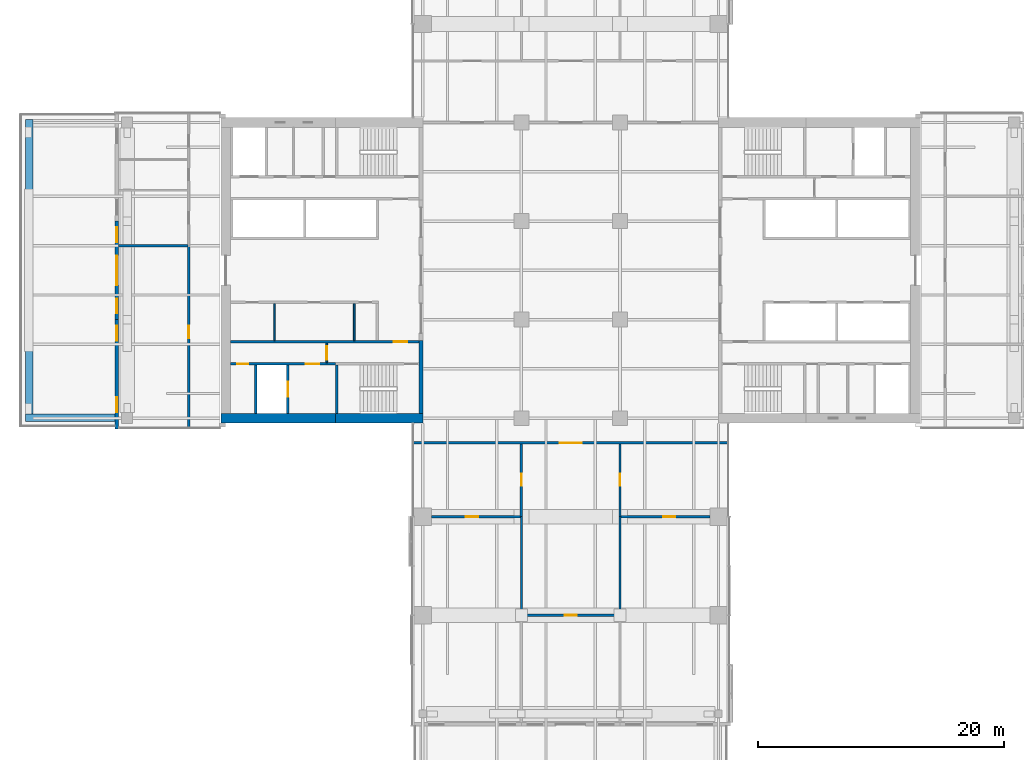
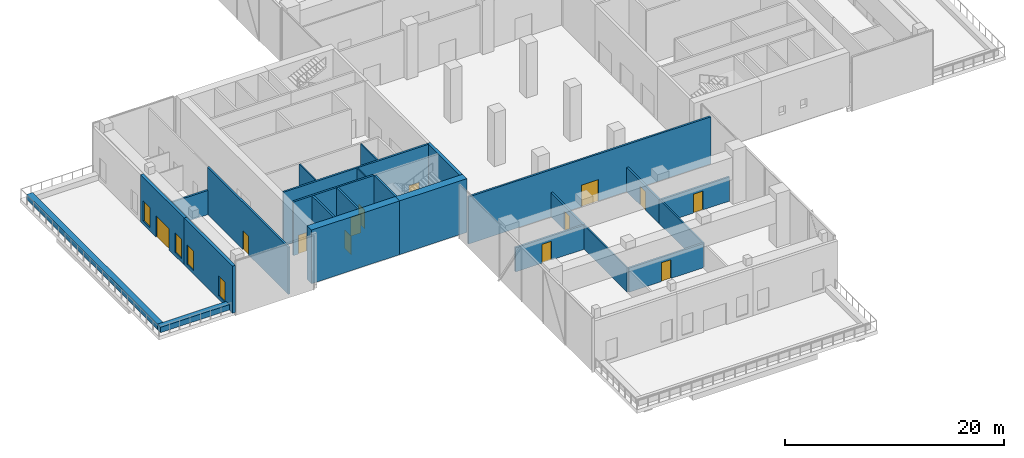
# One storey, part 14 of 23: 25 walls, 13 doors, 4 windows, 17 openings.
"""IFC4 building model written with IfcOpenShell, lengths in metres."""

import ifcopenshell
import ifcopenshell.guid

model = None  # the IFC model being written
_history = None  # IfcOwnerHistory: only IFC2X3 demands one
_inside = {}  # id of a spatial element -> (the spatial element, [elements in it])
_under = {}  # id of a project, library or spatial element -> (it, [spatial elements below it])
_declared = {}  # id of a project -> (the project, [libraries it declares])
_typed = {}  # id of a type object -> (the type object, [elements of that type])
_made_of = {}  # id of a material, layer set ... -> (it, [elements and type objects made of it])


def new_model(schema):
    """Start an empty IFC model of exactly this schema.

    Asked for "IFC4X3", IfcOpenShell would pick the latest addendum, in which some entities
    have other attributes; the version numbers below select the first issue.
    IFC2X3 requires an IfcOwnerHistory on every rooted entity: one is made here for all.
    """
    global model, _history
    if schema == "IFC4X3":
        model = ifcopenshell.file(schema_version=(4, 3, 0, 0))
    else:
        model = ifcopenshell.file(schema=schema)
    _inside.clear()
    _under.clear()
    _declared.clear()
    _typed.clear()
    _made_of.clear()
    _history = None
    if model.schema == "IFC2X3":
        org = make("IfcOrganization", Name="unknown")
        user = make(
            "IfcPersonAndOrganization",
            ThePerson=make("IfcPerson", FamilyName="unknown"),
            TheOrganization=org,
        )
        app = make(
            "IfcApplication",
            ApplicationDeveloper=org,
            Version="unknown",
            ApplicationFullName="unknown",
            ApplicationIdentifier="unknown",
        )
        _history = make(
            "IfcOwnerHistory",
            OwningUser=user,
            OwningApplication=app,
            ChangeAction="ADDED",
            CreationDate=0,
        )
    return model


def make(cls, **values):
    """One entity of the class cls with the attributes given. An attribute that is None is left unset."""
    return model.create_entity(
        cls, **{name: value for name, value in values.items() if value is not None}
    )


def rooted(cls, **values):
    """An entity with a GlobalId (a new one), such as an element, a storey or a relation."""
    return make(cls, GlobalId=ifcopenshell.guid.new(), OwnerHistory=_history, **values)


def si_unit(unit_type, name, prefix=None):
    """IfcSIUnit, for example si_unit("LENGTHUNIT", "METRE", prefix="MILLI")."""
    return make("IfcSIUnit", UnitType=unit_type, Prefix=prefix, Name=name)


def assignment(units):
    """IfcUnitAssignment: the units of a project."""
    return None if units is None else make("IfcUnitAssignment", Units=units)


def point(xyz):
    """IfcCartesianPoint."""
    return None if xyz is None else make("IfcCartesianPoint", Coordinates=xyz)


def direction(xyz):
    """IfcDirection."""
    return None if xyz is None else make("IfcDirection", DirectionRatios=xyz)


def frame(location, z_axis=None, x_axis=None):
    """IfcAxis2Placement3D, a coordinate frame: its origin and axes. An axis left out is left unset."""
    return make(
        "IfcAxis2Placement3D",
        Location=point(location),
        Axis=direction(z_axis),
        RefDirection=direction(x_axis),
    )


def frame_2d(location, x_axis=None):
    """IfcAxis2Placement2D, a coordinate frame in the plane: its origin and x axis."""
    return make(
        "IfcAxis2Placement2D", Location=point(location), RefDirection=direction(x_axis)
    )


def origin():
    """The frame at (0, 0, 0) with its axes left unset."""
    return frame((0.0, 0.0, 0.0))


def place(relative_to, where):
    """IfcLocalPlacement: puts the frame where relative to a parent placement (None: the world)."""
    return make(
        "IfcLocalPlacement", PlacementRelTo=relative_to, RelativePlacement=where
    )


def context(
    kind, dimensions, precision=None, world=None, true_north=None, identifier=None
):
    """IfcGeometricRepresentationContext, for example the 3D "Model" context."""
    return make(
        "IfcGeometricRepresentationContext",
        ContextIdentifier=identifier,
        ContextType=kind,
        CoordinateSpaceDimension=dimensions,
        Precision=precision,
        WorldCoordinateSystem=world,
        TrueNorth=true_north,
    )


def subcontext(parent, identifier, kind, view, scale=None):
    """IfcGeometricRepresentationSubContext, for example "Body" below "Model"."""
    return make(
        "IfcGeometricRepresentationSubContext",
        ContextIdentifier=identifier,
        ContextType=kind,
        ParentContext=parent,
        TargetScale=scale,
        TargetView=view,
    )


def project(units=None, contexts=None):
    """IfcProject with its units and contexts."""
    return rooted(
        "IfcProject",
        Name="project",
        RepresentationContexts=contexts,
        UnitsInContext=assignment(units),
    )


def spatial(cls, under=None, at=None, **own):
    """A site, building, storey or space (cls), placed at a placement, below another one or the project."""
    s = rooted(cls, ObjectPlacement=at, **own)
    if under is not None:
        _under.setdefault(under.id(), (under, []))[1].append(s)
    return s


def profile(cls, at=None, kind="AREA", **sizes):
    """A parametric profile (cls). Its sizes go by their IFC names, for example OverallWidth=200.0."""
    return make(cls, ProfileType=kind, Position=at, **sizes)


def rectangle(**sizes):
    """IfcRectangleProfileDef."""
    return profile("IfcRectangleProfileDef", **sizes)


def extrude(swept, where, along, depth):
    """IfcExtrudedAreaSolid: the profile swept, set in the frame where, extruded along a direction by depth."""
    return make(
        "IfcExtrudedAreaSolid",
        SweptArea=swept,
        Position=where,
        ExtrudedDirection=direction(along),
        Depth=depth,
    )


def shape(context_of_items, identifier, shape_type, items):
    """IfcShapeRepresentation: the items that make up one representation, for example the "Body"."""
    return make(
        "IfcShapeRepresentation",
        ContextOfItems=context_of_items,
        RepresentationIdentifier=identifier,
        RepresentationType=shape_type,
        Items=items,
    )


def material(Name=None, Category=None):
    """IfcMaterial."""
    return make("IfcMaterial", Name=Name, Category=Category)


def layer(
    of_material, thickness, ventilated=None, Name=None, Category=None, Priority=None
):
    """IfcMaterialLayer: one layer of a wall or slab, of a material (None: an air gap)."""
    return make(
        "IfcMaterialLayer",
        Material=of_material,
        LayerThickness=thickness,
        IsVentilated=ventilated,
        Name=Name,
        Category=Category,
        Priority=Priority,
    )


def layer_set(layers, Name=None):
    """IfcMaterialLayerSet."""
    return make("IfcMaterialLayerSet", MaterialLayers=layers, LayerSetName=Name)


def constituent(of_material, Name=None, Category=None, fraction=None):
    """IfcMaterialConstituent: one of the materials an element consists of."""
    return make(
        "IfcMaterialConstituent",
        Name=Name,
        Material=of_material,
        Fraction=fraction,
        Category=Category,
    )


def constituent_set(constituents=None, Name=None):
    """IfcMaterialConstituentSet."""
    return make(
        "IfcMaterialConstituentSet", Name=Name, MaterialConstituents=constituents
    )


def made_of(thing, what):
    """Note that an element or type object is made of a material, layer set ...; save() writes the relation."""
    if what is not None:
        _made_of.setdefault(what.id(), (what, []))[1].append(thing)
    return thing


def type_object(cls, material=None, **own):
    """A type object (cls), such as IfcWallType, which elements share."""
    return made_of(rooted(cls, **own), material)


def element(
    cls,
    number,
    at=None,
    inside=None,
    cuts=None,
    type_object=None,
    material=None,
    context=None,
    identifier="Body",
    shape_type=None,
    held_by="IfcProductDefinitionShape",
    body=None,
    shapes=None,
    **own,
):
    """One element of the class cls, such as IfcWall. Its Tag is "e" and its number.

    at: its placement. inside: the storey or other place that contains it. cuts: it is an
    opening in that element (IfcRelVoidsElement). A single representation is given by context,
    identifier, shape_type and body (its items); several are given by shapes. held_by: the class
    of the entity that holds the representations. save() writes the other relations.
    """
    e = rooted(cls, Tag="e%d" % number, ObjectPlacement=at, **own)
    if body is not None:
        shapes = [shape(context, identifier, shape_type, body)]
    if shapes is not None:
        e.Representation = make(held_by, Representations=shapes)
    if inside is not None:
        _inside.setdefault(inside.id(), (inside, []))[1].append(e)
    if cuts is not None:
        rooted(
            "IfcRelVoidsElement", RelatingBuildingElement=cuts, RelatedOpeningElement=e
        )
    if type_object is not None:
        _typed.setdefault(type_object.id(), (type_object, []))[1].append(e)
    return made_of(e, material)


def fill(opening, filler):
    """IfcRelFillsElement: the door or window that sits in an opening."""
    return rooted(
        "IfcRelFillsElement",
        RelatingOpeningElement=opening,
        RelatedBuildingElement=filler,
    )


def aggregate(whole, parts):
    """IfcRelAggregates: a whole, such as a stair, and the parts it consists of."""
    return rooted("IfcRelAggregates", RelatingObject=whole, RelatedObjects=parts)


def save(model, path):
    """Write the relations noted so far, then the file.

    IfcRelAggregates (storeys below a building ...), IfcRelContainedInSpatialStructure (elements
    in a storey), IfcRelDefinesByType, IfcRelAssociatesMaterial and IfcRelDeclares: one each for
    every whole, place, type object, material and project.
    """
    for whole, parts in _under.values():
        aggregate(whole, parts)
    for where, things in _inside.values():
        rooted(
            "IfcRelContainedInSpatialStructure",
            RelatedElements=things,
            RelatingStructure=where,
        )
    for kind, things in _typed.values():
        rooted("IfcRelDefinesByType", RelatedObjects=things, RelatingType=kind)
    for what, things in _made_of.values():
        rooted("IfcRelAssociatesMaterial", RelatedObjects=things, RelatingMaterial=what)
    for by, libraries in _declared.values():
        rooted("IfcRelDeclares", RelatingContext=by, RelatedDefinitions=libraries)
    model.write(path)


model = new_model("IFC4")

# Units and contexts
model_context = context("Model", 3, precision=1e-05, world=origin(), true_north=direction((0.0, 1.0)))
body_context = subcontext(model_context, "Body", "Model", "MODEL_VIEW")
ifc_project = project(units=[si_unit("LENGTHUNIT", "METRE"), si_unit("AREAUNIT", "SQUARE_METRE"), si_unit("VOLUMEUNIT", "CUBIC_METRE"), si_unit("PLANEANGLEUNIT", "RADIAN"), si_unit("MASSUNIT", "GRAM", prefix="KILO")], contexts=[model_context])

# Site, building, storey
site_placement = place(None, origin())
site = spatial("IfcSite", under=ifc_project, at=site_placement, CompositionType="ELEMENT")
building_placement = place(site_placement, origin())
building = spatial("IfcBuilding", under=site, at=building_placement, Name="Crosswind Convention Tower", CompositionType="ELEMENT")
storey_placement = place(building_placement, frame((0.0, 0.0, 47.5)))
storey = spatial("IfcBuildingStorey", under=building, at=storey_placement, Name="L06", CompositionType="ELEMENT", Elevation=47.5)

# Walls
ifc_material_1 = material(Name="Plasterboard partition", Category="gypsum")
ifc_layer_1 = layer(ifc_material_1, 0.14990234375)
ifc_layer_set_1 = layer_set([ifc_layer_1], Name="CORRIDOR WALL 150")
wall_type_1 = type_object("IfcWallType", Name="CORRIDOR WALL 150", PredefinedType="PARTITIONING", material=ifc_layer_set_1)
for number, where, z_axis, x_axis, name in (
    (1, (121.0, 72.0, 0.0), (0.0, 0.0, 1.0), (0.0, 1.0, 0.0), "Corridor Wall 19"),
    (2, (129.0, 72.0, 0.0), (0.0, 0.0, 1.0), (0.0, 1.0, 0.0), "Corridor Wall 23"),
):
    element("IfcWall", number, at=place(storey_placement, frame(where, z_axis=z_axis, x_axis=x_axis)), inside=storey, type_object=wall_type_1, Name=name, PredefinedType="PARTITIONING", context=body_context, shape_type="SweptSolid", body=[
        extrude(rectangle(XDim=8.0, YDim=0.14990234375, at=frame_2d((4.0, 0.0))), origin(), (0.0, 0.0, 1.0), 2.699951171875),
    ])
ifc_material_2 = material(Name="Concrete C50/60", Category="concrete")
ifc_layer_2 = layer(ifc_material_2, 0.300048828125)
ifc_layer_set_2 = layer_set([ifc_layer_2], Name="Concrete C50/60")
wall_type_2 = type_object("IfcWallType", Name="Concrete inner core wall 300", PredefinedType="SHEAR", material=ifc_layer_set_2)
wall_1_placement = place(storey_placement, frame((112.85009765625, 94.300048828125, 0.0), z_axis=(0.0, 0.0, 1.0), x_axis=(0.0, -1.0, 0.0)))
element("IfcWall", 3, at=wall_1_placement, inside=storey, type_object=wall_type_2, Name="Wall EP W L06", PredefinedType="SHEAR", context=body_context, shape_type="SweptSolid", body=[
    extrude(rectangle(XDim=5.900146484375, YDim=0.300048828125, at=frame_2d((2.9501953125, 0.0))), origin(), (0.0, 0.0, 1.0), 6.0),
])

# Wall, opening, door
ifc_layer_3 = layer(ifc_material_2, 0.199951171875)
ifc_layer_set_3 = layer_set([ifc_layer_3], Name="Concrete C50/60")
wall_type_3 = type_object("IfcWallType", Name="Concrete shaft and stair wall 200", PredefinedType="SHEAR", material=ifc_layer_set_3)
wall_2_placement = place(storey_placement, frame((112.699951171875, 94.199951171875, 0.0), z_axis=(0.0, 0.0, 1.0), x_axis=(-1.0, 0.0, 0.0)))
wall_2 = element("IfcWall", 4, at=wall_2_placement, inside=storey, type_object=wall_type_3, Name="Wall HP W L06", PredefinedType="SHEAR", context=body_context, shape_type="SweptSolid", body=[
    extrude(rectangle(XDim=15.300048828125, YDim=0.199951171875, at=frame_2d((7.64990234375, 0.0))), origin(), (0.0, 0.0, 1.0), 6.0),
])
opening_1_placement = place(wall_2_placement, frame((0.949951171875, 0.0, 0.0)))
opening_1 = element("IfcOpeningElement", 5, at=opening_1_placement, cuts=wall_2, Name="Opening D104", PredefinedType="OPENING", context=body_context, shape_type="SweptSolid", body=[
    extrude(rectangle(XDim=1.10009765625, YDim=2.10009765625, at=frame_2d((0.550048828125, 1.050048828125))), frame((0.0, 0.10986328125, 0.0), z_axis=(0.0, -1.0, 0.0), x_axis=(1.0, 0.0, 0.0)), (0.0, 0.0, 1.0), 0.219970703125),
])
ifc_material_3 = material(Name="Steel fire door", Category="steel")
door_type_1 = type_object("IfcDoorType", Name="Fire-rated single door 1100x2100", OperationType="NOTDEFINED", PredefinedType="DOOR", material=ifc_material_3)
door_1_placement = place(opening_1_placement, origin())
door_1 = element("IfcDoor", 6, at=door_1_placement, inside=storey, type_object=door_type_1, Name="Corridor door L06", ObjectType="D104", OperationType="SINGLE_SWING_LEFT", OverallHeight=2.10009765625, OverallWidth=1.10009765625, PredefinedType="DOOR", context=body_context, shape_type="SweptSolid", body=[
    extrude(rectangle(XDim=1.10009765625, YDim=2.10009765625, at=frame_2d((0.550048828125, 1.050048828125))), frame((0.0, 0.02490234375, 0.0), z_axis=(0.0, -1.0, 0.0), x_axis=(1.0, 0.0, 0.0)), (0.0, 0.0, 1.0), 0.050048828125),
])
fill(opening_1, door_1)

# Wall
wall_3_placement = place(storey_placement, frame((106.0, 92.300048828125, 0.0), z_axis=(0.0, 0.0, 1.0), x_axis=(0.0, -1.0, 0.0)))
element("IfcWall", 7, at=wall_3_placement, inside=storey, type_object=wall_type_3, Name="Wall PSE W L06", PredefinedType="SHEAR", context=body_context, shape_type="SweptSolid", body=[
    extrude(rectangle(XDim=3.900146484375, YDim=0.199951171875, at=frame_2d((1.9501953125, 0.0))), origin(), (0.0, 0.0, 1.0), 6.0),
])

# Wall, opening, door
wall_4_placement = place(storey_placement, frame((102.050048828125, 92.300048828125, 0.0), z_axis=(0.0, 0.0, 1.0), x_axis=(0.0, -1.0, 0.0)))
wall_4 = element("IfcWall", 8, at=wall_4_placement, inside=storey, type_object=wall_type_3, Name="Wall PFLW W L06", PredefinedType="SHEAR", context=body_context, shape_type="SweptSolid", body=[
    extrude(rectangle(XDim=3.900146484375, YDim=0.199951171875, at=frame_2d((1.9501953125, 0.0))), origin(), (0.0, 0.0, 1.0), 6.0),
])
opening_2_placement = place(wall_4_placement, frame((1.35009765625, 0.0, 0.0)))
opening_2 = element("IfcOpeningElement", 9, at=opening_2_placement, cuts=wall_4, Name="Opening LD1", PredefinedType="OPENING", context=body_context, shape_type="SweptSolid", body=[
    extrude(rectangle(XDim=1.199951171875, YDim=2.10009765625, at=frame_2d((0.60009765625, 1.050048828125))), frame((0.0, 0.10986328125, 0.0), z_axis=(0.0, -1.0, 0.0), x_axis=(1.0, 0.0, 0.0)), (0.0, 0.0, 1.0), 0.219970703125),
])
ifc_material_4 = material(Name="Stainless steel", Category="steel")
door_type_2 = type_object("IfcDoorType", Name="Lift landing door 1200x2100", OperationType="DOUBLE_DOOR_SLIDING", PredefinedType="DOOR", material=ifc_material_4)
door_2_placement = place(opening_2_placement, origin())
door_2 = element("IfcDoor", 10, at=door_2_placement, inside=storey, type_object=door_type_2, Name="Landing door FF2 L06", ObjectType="LD1", OperationType="DOUBLE_DOOR_SLIDING", OverallHeight=2.10009765625, OverallWidth=1.199951171875, PredefinedType="DOOR", context=body_context, shape_type="SweptSolid", body=[
    extrude(rectangle(XDim=1.199951171875, YDim=2.10009765625, at=frame_2d((0.60009765625, 1.050048828125))), frame((0.0, 0.02490234375, 0.0), z_axis=(0.0, -1.0, 0.0), x_axis=(1.0, 0.0, 0.0)), (0.0, 0.0, 1.0), 0.050048828125),
])
fill(opening_2, door_2)

# Wall
wall_5_placement = place(storey_placement, frame((99.449951171875, 92.300048828125, 0.0), z_axis=(0.0, 0.0, 1.0), x_axis=(0.0, -1.0, 0.0)))
element("IfcWall", 11, at=wall_5_placement, inside=storey, type_object=wall_type_3, Name="Wall PFSE W L06", PredefinedType="SHEAR", context=body_context, shape_type="SweptSolid", body=[
    extrude(rectangle(XDim=3.900146484375, YDim=0.199951171875, at=frame_2d((1.9501953125, 0.0))), origin(), (0.0, 0.0, 1.0), 6.0),
])

# Wall, openings, doors
wall_6_placement = place(storey_placement, frame((105.89990234375, 92.39990234375, 0.0), z_axis=(0.0, 0.0, 1.0), x_axis=(-1.0, 0.0, 0.0)))
wall_6 = element("IfcWall", 12, at=wall_6_placement, inside=storey, type_object=wall_type_3, Name="Wall PCX W L06", PredefinedType="SHEAR", context=body_context, shape_type="SweptSolid", body=[
    extrude(rectangle(XDim=8.5, YDim=0.199951171875, at=frame_2d((4.25, 0.0))), origin(), (0.0, 0.0, 1.0), 6.0),
])
opening_3_placement = place(wall_6_placement, frame((1.324951171875, 0.0, 0.0)))
opening_3 = element("IfcOpeningElement", 13, at=opening_3_placement, cuts=wall_6, Name="Opening D104", PredefinedType="OPENING", context=body_context, shape_type="SweptSolid", body=[
    extrude(rectangle(XDim=1.10009765625, YDim=2.10009765625, at=frame_2d((0.550048828125, 1.050048828125))), frame((0.0, 0.10986328125, 0.0), z_axis=(0.0, -1.0, 0.0), x_axis=(1.0, 0.0, 0.0)), (0.0, 0.0, 1.0), 0.219970703125),
])
opening_4_placement = place(wall_6_placement, frame((7.074951171875, 0.0, 0.0)))
opening_4 = element("IfcOpeningElement", 14, at=opening_4_placement, cuts=wall_6, Name="Opening D106", PredefinedType="OPENING", context=body_context, shape_type="SweptSolid", body=[
    extrude(rectangle(XDim=0.89990234375, YDim=2.10009765625, at=frame_2d((0.449951171875, 1.050048828125))), frame((0.0, 0.10986328125, 0.0), z_axis=(0.0, -1.0, 0.0), x_axis=(1.0, 0.0, 0.0)), (0.0, 0.0, 1.0), 0.219970703125),
])
door_3_placement = place(opening_3_placement, origin())
door_3 = element("IfcDoor", 15, at=door_3_placement, inside=storey, type_object=door_type_1, Name="Fire-fighting lobby FF2 door L06", ObjectType="D104", OperationType="SINGLE_SWING_RIGHT", OverallHeight=2.10009765625, OverallWidth=1.10009765625, PredefinedType="DOOR", context=body_context, shape_type="SweptSolid", body=[
    extrude(rectangle(XDim=1.10009765625, YDim=2.10009765625, at=frame_2d((0.550048828125, 1.050048828125))), frame((0.0, 0.02490234375, 0.0), z_axis=(0.0, -1.0, 0.0), x_axis=(1.0, 0.0, 0.0)), (0.0, 0.0, 1.0), 0.050048828125),
])
fill(opening_3, door_3)
ifc_material_5 = material(Name="Timber door", Category="wood")
door_type_3 = type_object("IfcDoorType", Name="Single leaf door 900x2100", OperationType="NOTDEFINED", PredefinedType="DOOR", material=ifc_material_5)
door_4_placement = place(opening_4_placement, origin())
door_4 = element("IfcDoor", 16, at=door_4_placement, inside=storey, type_object=door_type_3, Name="Door to electrical room L06", ObjectType="D106", OperationType="SINGLE_SWING_RIGHT", OverallHeight=2.10009765625, OverallWidth=0.89990234375, PredefinedType="DOOR", context=body_context, shape_type="SweptSolid", body=[
    extrude(rectangle(XDim=0.89990234375, YDim=2.10009765625, at=frame_2d((0.449951171875, 1.050048828125))), frame((0.0, 0.02490234375, 0.0), z_axis=(0.0, -1.0, 0.0), x_axis=(1.0, 0.0, 0.0)), (0.0, 0.0, 1.0), 0.050048828125),
])
fill(opening_4, door_4)

# Walls
ifc_material_6 = material(Name="Gypsum plasterboard partition", Category="gypsum")
ifc_layer_4 = layer(ifc_material_6, 0.125)
ifc_layer_set_4 = layer_set([ifc_layer_4], Name="Drywall partition wall 125")
wall_type_4 = type_object("IfcWallType", Name="Drywall partition wall 125", PredefinedType="PARTITIONING", material=ifc_layer_set_4)
for number, where, z_axis, x_axis, name in (
    (17, (107.429931640625, 97.300048828125, 0.0), (0.0, 0.0, 1.0), (0.0, -1.0, 0.0), "Wall RPP1 W L06"),
    (18, (100.93994140625, 97.300048828125, 0.0), (0.0, 0.0, 1.0), (0.0, -1.0, 0.0), "Wall RPP2 W L06"),
):
    element("IfcWall", number, at=place(storey_placement, frame(where, z_axis=z_axis, x_axis=x_axis)), inside=storey, type_object=wall_type_4, Name=name, PredefinedType="PARTITIONING", context=body_context, shape_type="SweptSolid", body=[
        extrude(rectangle(XDim=3.0, YDim=0.125, at=frame_2d((1.5, 0.0))), origin(), (0.0, 0.0, 1.0), 6.0),
    ])

# Wall, opening, door
wall_7_placement = place(storey_placement, frame((105.199951171875, 94.10009765625, 0.0), z_axis=(0.0, 0.0, 1.0), x_axis=(0.0, -1.0, 0.0)))
wall_7 = element("IfcWall", 19, at=wall_7_placement, inside=storey, type_object=wall_type_4, Name="Wall PXC1 W L06", PredefinedType="PARTITIONING", context=body_context, shape_type="SweptSolid", body=[
    extrude(rectangle(XDim=1.60009765625, YDim=0.125, at=frame_2d((0.800048828125, 0.0))), origin(), (0.0, 0.0, 1.0), 6.0),
])
opening_5_placement = place(wall_7_placement, frame((0.25, 0.0, 0.0)))
opening_5 = element("IfcOpeningElement", 20, at=opening_5_placement, cuts=wall_7, Name="Opening D104", PredefinedType="OPENING", context=body_context, shape_type="SweptSolid", body=[
    extrude(rectangle(XDim=1.10009765625, YDim=2.10009765625, at=frame_2d((0.550048828125, 1.050048828125))), frame((0.0, 0.072509765625, 0.0), z_axis=(0.0, -1.0, 0.0), x_axis=(1.0, 0.0, 0.0)), (0.0, 0.0, 1.0), 0.14501953125),
])
door_5_placement = place(opening_5_placement, origin())
door_5 = element("IfcDoor", 21, at=door_5_placement, inside=storey, type_object=door_type_1, Name="Corridor smoke door L06", ObjectType="D104", OperationType="SINGLE_SWING_RIGHT", OverallHeight=2.10009765625, OverallWidth=1.10009765625, PredefinedType="DOOR", context=body_context, shape_type="SweptSolid", body=[
    extrude(rectangle(XDim=1.10009765625, YDim=2.10009765625, at=frame_2d((0.550048828125, 1.050048828125))), frame((0.0, 0.02490234375, 0.0), z_axis=(0.0, -1.0, 0.0), x_axis=(1.0, 0.0, 0.0)), (0.0, 0.0, 1.0), 0.050048828125),
])
fill(opening_5, door_5)

ifc_material_7 = material(Name="Double plasterboard partition", Category="gypsum")
ifc_layer_5 = layer(ifc_material_7, 0.199951171875)
ifc_layer_set_5 = layer_set([ifc_layer_5], Name="HALL WALL 200")
wall_type_5 = type_object("IfcWallType", Name="HALL WALL 200", PredefinedType="PARTITIONING", material=ifc_layer_set_5)
wall_8_placement = place(storey_placement, frame((121.074951171875, 72.0, 0.0), z_axis=(0.0, 0.0, 1.0), x_axis=(1.0, 0.0, 0.0)))
wall_8 = element("IfcWall", 22, at=wall_8_placement, inside=storey, type_object=wall_type_5, Name="Hall Wall 1", PredefinedType="PARTITIONING", context=body_context, shape_type="SweptSolid", body=[
    extrude(rectangle(XDim=7.85009765625, YDim=0.199951171875, at=frame_2d((3.925048828125, 0.0))), origin(), (0.0, 0.0, 1.0), 2.699951171875),
])
opening_6_placement = place(wall_8_placement, frame((3.425048828125, 0.0, 0.0)))
opening_6 = element("IfcOpeningElement", 23, at=opening_6_placement, cuts=wall_8, Name="Opening 06.012", PredefinedType="OPENING", context=body_context, shape_type="SweptSolid", body=[
    extrude(rectangle(XDim=1.0, YDim=2.10009765625, at=frame_2d((0.5, 1.050048828125))), frame((0.0, 0.10986328125, 0.0), z_axis=(0.0, -1.0, 0.0), x_axis=(1.0, 0.0, 0.0)), (0.0, 0.0, 1.0), 0.219970703125),
])
ifc_material_8 = material(Name="Timber fire door", Category="wood")
door_type_4 = type_object("IfcDoorType", Name="MEETING ROOM DOOR 1000X2100", OperationType="NOTDEFINED", PredefinedType="DOOR", material=ifc_material_8)
door_6_placement = place(opening_6_placement, origin())
door_6 = element("IfcDoor", 24, at=door_6_placement, inside=storey, type_object=door_type_4, Name="Door 06.012", ObjectType="D13", OperationType="SINGLE_SWING_RIGHT", OverallHeight=2.10009765625, OverallWidth=1.0, PredefinedType="DOOR", context=body_context, shape_type="SweptSolid", body=[
    extrude(rectangle(XDim=1.0, YDim=2.10009765625, at=frame_2d((0.5, 1.050048828125))), frame((0.0, 0.02490234375, 0.0), z_axis=(0.0, -1.0, 0.0), x_axis=(1.0, 0.0, 0.0)), (0.0, 0.0, 1.0), 0.050048828125),
])
fill(opening_6, door_6)

wall_9_placement = place(storey_placement, frame((113.699951171875, 80.0, 0.0), z_axis=(0.0, 0.0, 1.0), x_axis=(1.0, 0.0, 0.0)))
wall_9 = element("IfcWall", 25, at=wall_9_placement, inside=storey, type_object=wall_type_5, Name="Hall Wall 2", PredefinedType="PARTITIONING", context=body_context, shape_type="SweptSolid", body=[
    extrude(rectangle(XDim=7.22509765625, YDim=0.199951171875, at=frame_2d((3.612548828125, 0.0))), origin(), (0.0, 0.0, 1.0), 2.699951171875),
])
opening_7_placement = place(wall_9_placement, frame((2.800048828125, 0.0, 0.0)))
opening_7 = element("IfcOpeningElement", 26, at=opening_7_placement, cuts=wall_9, Name="Opening 06.013", PredefinedType="OPENING", context=body_context, shape_type="SweptSolid", body=[
    extrude(rectangle(XDim=1.0, YDim=2.10009765625, at=frame_2d((0.5, 1.050048828125))), frame((0.0, 0.10986328125, 0.0), z_axis=(0.0, -1.0, 0.0), x_axis=(1.0, 0.0, 0.0)), (0.0, 0.0, 1.0), 0.219970703125),
])
door_type_5 = type_object("IfcDoorType", Name="SERVICE ROOM DOOR 1000X2100", OperationType="NOTDEFINED", PredefinedType="DOOR", material=ifc_material_8)
door_7_placement = place(opening_7_placement, frame((1.0, 0.0, 0.0), z_axis=(0.0, 0.0, 1.0), x_axis=(-1.0, 0.0, 0.0)))
door_7 = element("IfcDoor", 27, at=door_7_placement, inside=storey, type_object=door_type_5, Name="Door 06.013", ObjectType="D3", OperationType="SINGLE_SWING_RIGHT", OverallHeight=2.10009765625, OverallWidth=1.0, PredefinedType="DOOR", context=body_context, shape_type="SweptSolid", body=[
    extrude(rectangle(XDim=1.0, YDim=2.10009765625, at=frame_2d((0.5, 1.050048828125))), frame((0.0, 0.02490234375, 0.0), z_axis=(0.0, -1.0, 0.0), x_axis=(1.0, 0.0, 0.0)), (0.0, 0.0, 1.0), 0.050048828125),
])
fill(opening_7, door_7)

wall_10_placement = place(storey_placement, frame((129.074951171875, 80.0, 0.0), z_axis=(0.0, 0.0, 1.0), x_axis=(1.0, 0.0, 0.0)))
wall_10 = element("IfcWall", 28, at=wall_10_placement, inside=storey, type_object=wall_type_5, Name="Hall Wall 3", PredefinedType="PARTITIONING", context=body_context, shape_type="SweptSolid", body=[
    extrude(rectangle(XDim=7.22509765625, YDim=0.199951171875, at=frame_2d((3.612548828125, 0.0))), origin(), (0.0, 0.0, 1.0), 2.699951171875),
])
opening_8_placement = place(wall_10_placement, frame((3.425048828125, 0.0, 0.0)))
opening_8 = element("IfcOpeningElement", 29, at=opening_8_placement, cuts=wall_10, Name="Opening 06.014", PredefinedType="OPENING", context=body_context, shape_type="SweptSolid", body=[
    extrude(rectangle(XDim=1.0, YDim=2.10009765625, at=frame_2d((0.5, 1.050048828125))), frame((0.0, 0.10986328125, 0.0), z_axis=(0.0, -1.0, 0.0), x_axis=(1.0, 0.0, 0.0)), (0.0, 0.0, 1.0), 0.219970703125),
])
door_8_placement = place(opening_8_placement, frame((1.0, 0.0, 0.0), z_axis=(0.0, 0.0, 1.0), x_axis=(-1.0, 0.0, 0.0)))
door_8 = element("IfcDoor", 30, at=door_8_placement, inside=storey, type_object=door_type_5, Name="Door 06.014", ObjectType="D3", OperationType="SINGLE_SWING_LEFT", OverallHeight=2.10009765625, OverallWidth=1.0, PredefinedType="DOOR", context=body_context, shape_type="SweptSolid", body=[
    extrude(rectangle(XDim=1.0, YDim=2.10009765625, at=frame_2d((0.5, 1.050048828125))), frame((0.0, 0.02490234375, 0.0), z_axis=(0.0, -1.0, 0.0), x_axis=(1.0, 0.0, 0.0)), (0.0, 0.0, 1.0), 0.050048828125),
])
fill(opening_8, door_8)

wall_11_placement = place(storey_placement, frame((112.199951171875, 86.0, 0.0), z_axis=(0.0, 0.0, 1.0), x_axis=(1.0, 0.0, 0.0)))
wall_11 = element("IfcWall", 31, at=wall_11_placement, inside=storey, type_object=wall_type_5, Name="Hall Wall 4", PredefinedType="PARTITIONING", context=body_context, shape_type="SweptSolid", body=[
    extrude(rectangle(XDim=25.60009765625, YDim=0.199951171875, at=frame_2d((12.800048828125, 0.0))), origin(), (0.0, 0.0, 1.0), 5.259765625),
])
opening_9_placement = place(wall_11_placement, frame((11.89990234375, 0.0, 0.0)))
opening_9 = element("IfcOpeningElement", 32, at=opening_9_placement, cuts=wall_11, Name="Opening 06.009", PredefinedType="OPENING", context=body_context, shape_type="SweptSolid", body=[
    extrude(rectangle(XDim=1.800048828125, YDim=2.39990234375, at=frame_2d((0.89990234375, 1.199951171875))), frame((0.0, 0.10986328125, 0.0), z_axis=(0.0, -1.0, 0.0), x_axis=(1.0, 0.0, 0.0)), (0.0, 0.0, 1.0), 0.219970703125),
])
door_type_6 = type_object("IfcDoorType", Name="HALL DOUBLE DOOR 1800X2400", OperationType="DOUBLE_DOOR_SINGLE_SWING", PredefinedType="DOOR", material=ifc_material_8)
door_9_placement = place(opening_9_placement, frame((1.800048828125, 0.0, 0.0), z_axis=(0.0, 0.0, 1.0), x_axis=(-1.0, 0.0, 0.0)))
door_9 = element("IfcDoor", 33, at=door_9_placement, inside=storey, type_object=door_type_6, Name="Door 06.009", ObjectType="D5", OperationType="DOUBLE_DOOR_SINGLE_SWING", OverallHeight=2.39990234375, OverallWidth=1.800048828125, PredefinedType="DOOR", context=body_context, shape_type="SweptSolid", body=[
    extrude(rectangle(XDim=1.800048828125, YDim=2.39990234375, at=frame_2d((0.89990234375, 1.199951171875))), frame((0.0, 0.02490234375, 0.0), z_axis=(0.0, -1.0, 0.0), x_axis=(1.0, 0.0, 0.0)), (0.0, 0.0, 1.0), 0.050048828125),
])
fill(opening_9, door_9)

# Wall
wall_12_placement = place(storey_placement, frame((88.300048828125, 102.0, 0.0), z_axis=(0.0, 0.0, 1.0), x_axis=(1.0, 0.0, 0.0)))
element("IfcWall", 34, at=wall_12_placement, inside=storey, type_object=wall_type_5, Name="Hall Wall 6", PredefinedType="PARTITIONING", context=body_context, shape_type="SweptSolid", body=[
    extrude(rectangle(XDim=5.625, YDim=0.199951171875, at=frame_2d((2.8125, 0.0))), origin(), (0.0, 0.0, 1.0), 2.699951171875),
])

# Wall, opening, door
wall_13_placement = place(storey_placement, frame((94.0, 87.199951171875, 0.0), z_axis=(0.0, 0.0, 1.0), x_axis=(0.0, 1.0, 0.0)))
wall_13 = element("IfcWall", 35, at=wall_13_placement, inside=storey, type_object=wall_type_5, Name="Hall Wall 16", PredefinedType="PARTITIONING", context=body_context, shape_type="SweptSolid", body=[
    extrude(rectangle(XDim=14.800048828125, YDim=0.199951171875, at=frame_2d((7.39990234375, 0.0))), origin(), (0.0, 0.0, 1.0), 5.25634765625),
])
opening_10_placement = place(wall_13_placement, frame((7.300048828125, 0.0, 0.0)))
opening_10 = element("IfcOpeningElement", 36, at=opening_10_placement, cuts=wall_13, Name="Opening 06.018", PredefinedType="OPENING", context=body_context, shape_type="SweptSolid", body=[
    extrude(rectangle(XDim=1.0, YDim=2.10009765625, at=frame_2d((0.5, 1.050048828125))), frame((0.0, 0.10986328125, 0.0), z_axis=(0.0, -1.0, 0.0), x_axis=(1.0, 0.0, 0.0)), (0.0, 0.0, 1.0), 0.219970703125),
])
door_10_placement = place(opening_10_placement, origin())
door_10 = element("IfcDoor", 37, at=door_10_placement, inside=storey, type_object=door_type_4, Name="Door 06.018", ObjectType="D13", OperationType="SINGLE_SWING_RIGHT", OverallHeight=2.10009765625, OverallWidth=1.0, PredefinedType="DOOR", context=body_context, shape_type="SweptSolid", body=[
    extrude(rectangle(XDim=1.0, YDim=2.10009765625, at=frame_2d((0.5, 1.050048828125))), frame((0.0, 0.02490234375, 0.0), z_axis=(0.0, -1.0, 0.0), x_axis=(1.0, 0.0, 0.0)), (0.0, 0.0, 1.0), 0.050048828125),
])
fill(opening_10, door_10)

wall_14_placement = place(storey_placement, frame((121.0, 80.0, 0.0), z_axis=(0.0, 0.0, 1.0), x_axis=(0.0, 1.0, 0.0)))
wall_14 = element("IfcWall", 38, at=wall_14_placement, inside=storey, type_object=wall_type_5, Name="Hall Wall 20", PredefinedType="PARTITIONING", context=body_context, shape_type="SweptSolid", body=[
    extrude(rectangle(XDim=5.89990234375, YDim=0.199951171875, at=frame_2d((2.949951171875, 0.0))), origin(), (0.0, 0.0, 1.0), 2.699951171875),
])
opening_11_placement = place(wall_14_placement, frame((2.5, 0.0, 0.0)))
opening_11 = element("IfcOpeningElement", 39, at=opening_11_placement, cuts=wall_14, Name="Opening 06.010", PredefinedType="OPENING", context=body_context, shape_type="SweptSolid", body=[
    extrude(rectangle(XDim=1.0, YDim=2.10009765625, at=frame_2d((0.5, 1.050048828125))), frame((0.0, 0.10986328125, 0.0), z_axis=(0.0, -1.0, 0.0), x_axis=(1.0, 0.0, 0.0)), (0.0, 0.0, 1.0), 0.219970703125),
])
door_11_placement = place(opening_11_placement, frame((1.0, 0.0, 0.0), z_axis=(0.0, 0.0, 1.0), x_axis=(-1.0, 0.0, 0.0)))
door_11 = element("IfcDoor", 40, at=door_11_placement, inside=storey, type_object=door_type_4, Name="Door 06.010", ObjectType="D13", OperationType="SINGLE_SWING_RIGHT", OverallHeight=2.10009765625, OverallWidth=1.0, PredefinedType="DOOR", context=body_context, shape_type="SweptSolid", body=[
    extrude(rectangle(XDim=1.0, YDim=2.10009765625, at=frame_2d((0.5, 1.050048828125))), frame((0.0, 0.02490234375, 0.0), z_axis=(0.0, -1.0, 0.0), x_axis=(1.0, 0.0, 0.0)), (0.0, 0.0, 1.0), 0.050048828125),
])
fill(opening_11, door_11)

wall_15_placement = place(storey_placement, frame((129.0, 80.0, 0.0), z_axis=(0.0, 0.0, 1.0), x_axis=(0.0, 1.0, 0.0)))
wall_15 = element("IfcWall", 41, at=wall_15_placement, inside=storey, type_object=wall_type_5, Name="Hall Wall 24", PredefinedType="PARTITIONING", context=body_context, shape_type="SweptSolid", body=[
    extrude(rectangle(XDim=5.89990234375, YDim=0.199951171875, at=frame_2d((2.949951171875, 0.0))), origin(), (0.0, 0.0, 1.0), 2.699951171875),
])
opening_12_placement = place(wall_15_placement, frame((2.5, 0.0, 0.0)))
opening_12 = element("IfcOpeningElement", 42, at=opening_12_placement, cuts=wall_15, Name="Opening 06.011", PredefinedType="OPENING", context=body_context, shape_type="SweptSolid", body=[
    extrude(rectangle(XDim=1.0, YDim=2.10009765625, at=frame_2d((0.5, 1.050048828125))), frame((0.0, 0.10986328125, 0.0), z_axis=(0.0, -1.0, 0.0), x_axis=(1.0, 0.0, 0.0)), (0.0, 0.0, 1.0), 0.219970703125),
])
door_12_placement = place(opening_12_placement, origin())
door_12 = element("IfcDoor", 43, at=door_12_placement, inside=storey, type_object=door_type_4, Name="Door 06.011", ObjectType="D13", OperationType="SINGLE_SWING_LEFT", OverallHeight=2.10009765625, OverallWidth=1.0, PredefinedType="DOOR", context=body_context, shape_type="SweptSolid", body=[
    extrude(rectangle(XDim=1.0, YDim=2.10009765625, at=frame_2d((0.5, 1.050048828125))), frame((0.0, 0.02490234375, 0.0), z_axis=(0.0, -1.0, 0.0), x_axis=(1.0, 0.0, 0.0)), (0.0, 0.0, 1.0), 0.050048828125),
])
fill(opening_12, door_12)

# Walls
ifc_material_9 = material(Name="Concrete C30/37", Category="concrete")
ifc_layer_6 = layer(ifc_material_9, 0.60009765625)
ifc_layer_set_6 = layer_set([ifc_layer_6], Name="Concrete C30/37")
wall_type_6 = type_object("IfcWallType", Name="PLANTER BOX WALL 600", PredefinedType="SOLIDWALL", material=ifc_layer_set_6)
wall_16_placement = place(storey_placement, frame((88.0, 88.050048828125, 0.0), z_axis=(0.0, 0.0, 1.0), x_axis=(-1.0, 0.0, 0.0)))
element("IfcWall", 44, at=wall_16_placement, inside=storey, type_object=wall_type_6, Name="PLANTER L06 W 1", PredefinedType="SOLIDWALL", context=body_context, shape_type="SweptSolid", body=[
    extrude(rectangle(XDim=7.25, YDim=0.60009765625, at=frame_2d((3.625, 0.0))), origin(), (0.0, 0.0, 1.0), 0.60009765625),
])
wall_17_placement = place(storey_placement, frame((81.050048828125, 88.35009765625, 0.0), z_axis=(0.0, 0.0, 1.0), x_axis=(0.0, 1.0, 0.0)))
element("IfcWall", 45, at=wall_17_placement, inside=storey, type_object=wall_type_6, Name="PLANTER L06 W 2", PredefinedType="SOLIDWALL", context=body_context, shape_type="SweptSolid", body=[
    extrude(rectangle(XDim=23.89990234375, YDim=0.60009765625, at=frame_2d((11.949951171875, 0.0))), origin(), (0.0, 0.0, 1.0), 0.60009765625),
])

# Wall, openings, door, windows
ifc_material_10 = material(Name="Terracotta rainscreen", Category="ceramic")
ifc_layer_7 = layer(ifc_material_10, 0.02001953125)
ifc_material_11 = material(Name="Mineral wool insulation", Category="insulation")
ifc_layer_8 = layer(ifc_material_11, 0.10009765625)
ifc_material_12 = material(Name="Concrete blockwork", Category="masonry")
ifc_layer_9 = layer(ifc_material_12, 0.179931640625)
ifc_layer_set_7 = layer_set([ifc_layer_7, ifc_layer_8, ifc_layer_9], Name="TERRACOTTA INFILL WALL 300")
wall_type_7 = type_object("IfcWallType", Name="TERRACOTTA INFILL WALL 300", PredefinedType="SOLIDWALL", material=ifc_layer_set_7)
wall_18_placement = place(storey_placement, frame((88.14990234375, 104.0, 0.0), z_axis=(0.0, 0.0, 1.0), x_axis=(0.0, -1.0, 0.0)))
wall_18 = element("IfcWall", 46, at=wall_18_placement, inside=storey, type_object=wall_type_7, Name="Terrace front wall L06 W-TIP.1-2", PredefinedType="SOLIDWALL", context=body_context, shape_type="SweptSolid", body=[
    extrude(rectangle(XDim=8.0, YDim=0.300048828125, at=frame_2d((4.0, 0.0))), origin(), (0.0, 0.0, 1.0), 5.25634765625),
])
opening_13_placement = place(wall_18_placement, frame((2.800048828125, 0.0, 0.0)))
opening_13 = element("IfcOpeningElement", 47, at=opening_13_placement, cuts=wall_18, Name="Opening D140", PredefinedType="OPENING", context=body_context, shape_type="SweptSolid", body=[
    extrude(rectangle(XDim=2.39990234375, YDim=2.39990234375, at=frame_2d((1.199951171875, 1.199951171875))), frame((0.0, 0.159912109375, 0.0), z_axis=(0.0, -1.0, 0.0), x_axis=(1.0, 0.0, 0.0)), (0.0, 0.0, 1.0), 0.320068359375),
])
opening_14_placement = place(wall_18_placement, frame((0.5, 0.0, 0.39990234375)))
opening_14 = element("IfcOpeningElement", 48, at=opening_14_placement, cuts=wall_18, Name="Opening W10", PredefinedType="OPENING", context=body_context, shape_type="SweptSolid", body=[
    extrude(rectangle(XDim=1.199951171875, YDim=2.199951171875, at=frame_2d((0.60009765625, 1.10009765625))), frame((0.0, 0.159912109375, 0.0), z_axis=(0.0, -1.0, 0.0), x_axis=(1.0, 0.0, 0.0)), (0.0, 0.0, 1.0), 0.320068359375),
])
opening_15_placement = place(wall_18_placement, frame((6.300048828125, 0.0, 0.39990234375)))
opening_15 = element("IfcOpeningElement", 49, at=opening_15_placement, cuts=wall_18, Name="Opening W10", PredefinedType="OPENING", context=body_context, shape_type="SweptSolid", body=[
    extrude(rectangle(XDim=1.199951171875, YDim=2.199951171875, at=frame_2d((0.60009765625, 1.10009765625))), frame((0.0, 0.159912109375, 0.0), z_axis=(0.0, -1.0, 0.0), x_axis=(1.0, 0.0, 0.0)), (0.0, 0.0, 1.0), 0.320068359375),
])
ifc_material_13 = material(Name="Aluminium glazed door", Category="aluminium")
door_type_7 = type_object("IfcDoorType", Name="GLAZED DOUBLE DOOR 2400X2400", OperationType="DOUBLE_DOOR_SINGLE_SWING", PredefinedType="DOOR", material=ifc_material_13)
door_13_placement = place(opening_13_placement, frame((2.39990234375, 0.0, 0.0), z_axis=(0.0, 0.0, 1.0), x_axis=(-1.0, 0.0, 0.0)))
door_13 = element("IfcDoor", 50, at=door_13_placement, inside=storey, type_object=door_type_7, Name="D140 terrace door L06 W-TIP.1-2", ObjectType="D140", OperationType="DOUBLE_DOOR_SINGLE_SWING", OverallHeight=2.39990234375, OverallWidth=2.39990234375, PredefinedType="DOOR", context=body_context, shape_type="SweptSolid", body=[
    extrude(rectangle(XDim=2.39990234375, YDim=2.39990234375, at=frame_2d((1.199951171875, 1.199951171875))), frame((0.0, 0.02490234375, 0.0), z_axis=(0.0, -1.0, 0.0), x_axis=(1.0, 0.0, 0.0)), (0.0, 0.0, 1.0), 0.050048828125),
])
fill(opening_13, door_13)
ifc_material_14 = material(Name="Aluminium window", Category="aluminium")
window_type = type_object("IfcWindowType", Name="TERRACE FRONT WINDOW 1200X2200", PartitioningType="SINGLE_PANEL", PredefinedType="WINDOW", material=ifc_material_14)
window_1_placement = place(opening_14_placement, origin())
window_1 = element("IfcWindow", 51, at=window_1_placement, inside=storey, type_object=window_type, Name="W10 terrace window L06 W-TIP.1-2.1", ObjectType="W10", OverallHeight=2.199951171875, OverallWidth=1.199951171875, PartitioningType="SINGLE_PANEL", PredefinedType="WINDOW", context=body_context, shape_type="SweptSolid", body=[
    extrude(rectangle(XDim=1.199951171875, YDim=2.199951171875, at=frame_2d((0.60009765625, 1.10009765625))), frame((0.0, 0.030029296875, 0.0), z_axis=(0.0, -1.0, 0.0), x_axis=(1.0, 0.0, 0.0)), (0.0, 0.0, 1.0), 0.06005859375),
])
fill(opening_14, window_1)
window_2_placement = place(opening_15_placement, origin())
window_2 = element("IfcWindow", 52, at=window_2_placement, inside=storey, type_object=window_type, Name="W10 terrace window L06 W-TIP.1-2.2", ObjectType="W10", OverallHeight=2.199951171875, OverallWidth=1.199951171875, PartitioningType="SINGLE_PANEL", PredefinedType="WINDOW", context=body_context, shape_type="SweptSolid", body=[
    extrude(rectangle(XDim=1.199951171875, YDim=2.199951171875, at=frame_2d((0.60009765625, 1.10009765625))), frame((0.0, 0.030029296875, 0.0), z_axis=(0.0, -1.0, 0.0), x_axis=(1.0, 0.0, 0.0)), (0.0, 0.0, 1.0), 0.06005859375),
])
fill(opening_15, window_2)

# Wall, openings, windows
wall_19_placement = place(storey_placement, frame((88.14990234375, 96.0, 0.0), z_axis=(0.0, 0.0, 1.0), x_axis=(0.0, -1.0, 0.0)))
wall_19 = element("IfcWall", 53, at=wall_19_placement, inside=storey, type_object=wall_type_7, Name="Terrace front wall L06 W-TIP.1-3", PredefinedType="SOLIDWALL", context=body_context, shape_type="SweptSolid", body=[
    extrude(rectangle(XDim=8.860107421875, YDim=0.300048828125, at=frame_2d((4.43017578125, 0.0))), origin(), (0.0, 0.0, 1.0), 5.25634765625),
])
opening_16_placement = place(wall_19_placement, frame((0.5, 0.0, 0.39990234375)))
opening_16 = element("IfcOpeningElement", 54, at=opening_16_placement, cuts=wall_19, Name="Opening W10", PredefinedType="OPENING", context=body_context, shape_type="SweptSolid", body=[
    extrude(rectangle(XDim=1.199951171875, YDim=2.199951171875, at=frame_2d((0.60009765625, 1.10009765625))), frame((0.0, 0.159912109375, 0.0), z_axis=(0.0, -1.0, 0.0), x_axis=(1.0, 0.0, 0.0)), (0.0, 0.0, 1.0), 0.320068359375),
])
opening_17_placement = place(wall_19_placement, frame((6.300048828125, 0.0, 0.39990234375)))
opening_17 = element("IfcOpeningElement", 55, at=opening_17_placement, cuts=wall_19, Name="Opening W10", PredefinedType="OPENING", context=body_context, shape_type="SweptSolid", body=[
    extrude(rectangle(XDim=1.199951171875, YDim=2.199951171875, at=frame_2d((0.60009765625, 1.10009765625))), frame((0.0, 0.159912109375, 0.0), z_axis=(0.0, -1.0, 0.0), x_axis=(1.0, 0.0, 0.0)), (0.0, 0.0, 1.0), 0.320068359375),
])
window_3_placement = place(opening_16_placement, origin())
window_3 = element("IfcWindow", 56, at=window_3_placement, inside=storey, type_object=window_type, Name="W10 terrace window L06 W-TIP.1-3.1", ObjectType="W10", OverallHeight=2.199951171875, OverallWidth=1.199951171875, PartitioningType="SINGLE_PANEL", PredefinedType="WINDOW", context=body_context, shape_type="SweptSolid", body=[
    extrude(rectangle(XDim=1.199951171875, YDim=2.199951171875, at=frame_2d((0.60009765625, 1.10009765625))), frame((0.0, 0.030029296875, 0.0), z_axis=(0.0, -1.0, 0.0), x_axis=(1.0, 0.0, 0.0)), (0.0, 0.0, 1.0), 0.06005859375),
])
fill(opening_16, window_3)
window_4_placement = place(opening_17_placement, origin())
window_4 = element("IfcWindow", 57, at=window_4_placement, inside=storey, type_object=window_type, Name="W10 terrace window L06 W-TIP.1-3.2", ObjectType="W10", OverallHeight=2.199951171875, OverallWidth=1.199951171875, PartitioningType="SINGLE_PANEL", PredefinedType="WINDOW", context=body_context, shape_type="SweptSolid", body=[
    extrude(rectangle(XDim=1.199951171875, YDim=2.199951171875, at=frame_2d((0.60009765625, 1.10009765625))), frame((0.0, 0.030029296875, 0.0), z_axis=(0.0, -1.0, 0.0), x_axis=(1.0, 0.0, 0.0)), (0.0, 0.0, 1.0), 0.06005859375),
])
fill(opening_17, window_4)

# Walls
ifc_material_15 = material(Name="Concrete C60/75", Category="concrete")
ifc_constituent_1 = constituent(ifc_material_15, Name="Structure")
ifc_constituent_2 = constituent(ifc_material_10, Name="Facing")
ifc_constituent_set = constituent_set(constituents=[ifc_constituent_1, ifc_constituent_2], Name="Concrete C60/75, Terracotta rainscreen")
wall_type_8 = type_object("IfcWallType", Name="Terracotta rainscreen on concrete core wall 800", PredefinedType="SHEAR", material=ifc_constituent_set)
wall_20_placement = place(storey_placement, frame((113.0, 88.0, 0.0), z_axis=(0.0, 0.0, 1.0), x_axis=(-1.0, 0.0, 0.0)))
element("IfcWall", 58, at=wall_20_placement, inside=storey, type_object=wall_type_8, Name="Wall N1 W L06", PredefinedType="SHEAR", context=body_context, shape_type="SweptSolid", body=[
    extrude(rectangle(XDim=7.10009765625, YDim=0.800048828125, at=frame_2d((3.550048828125, 0.0))), origin(), (0.0, 0.0, 1.0), 6.0),
])
wall_21_placement = place(storey_placement, frame((105.89990234375, 88.0, 0.0), z_axis=(0.0, 0.0, 1.0), x_axis=(-1.0, 0.0, 0.0)))
element("IfcWall", 59, at=wall_21_placement, inside=storey, type_object=wall_type_8, Name="Wall N2 W L06", PredefinedType="SHEAR", context=body_context, shape_type="SweptSolid", body=[
    extrude(rectangle(XDim=9.2998046875, YDim=0.800048828125, at=frame_2d((4.64990234375, 0.0))), origin(), (0.0, 0.0, 1.0), 6.0),
])

save(model, "model.ifc")
